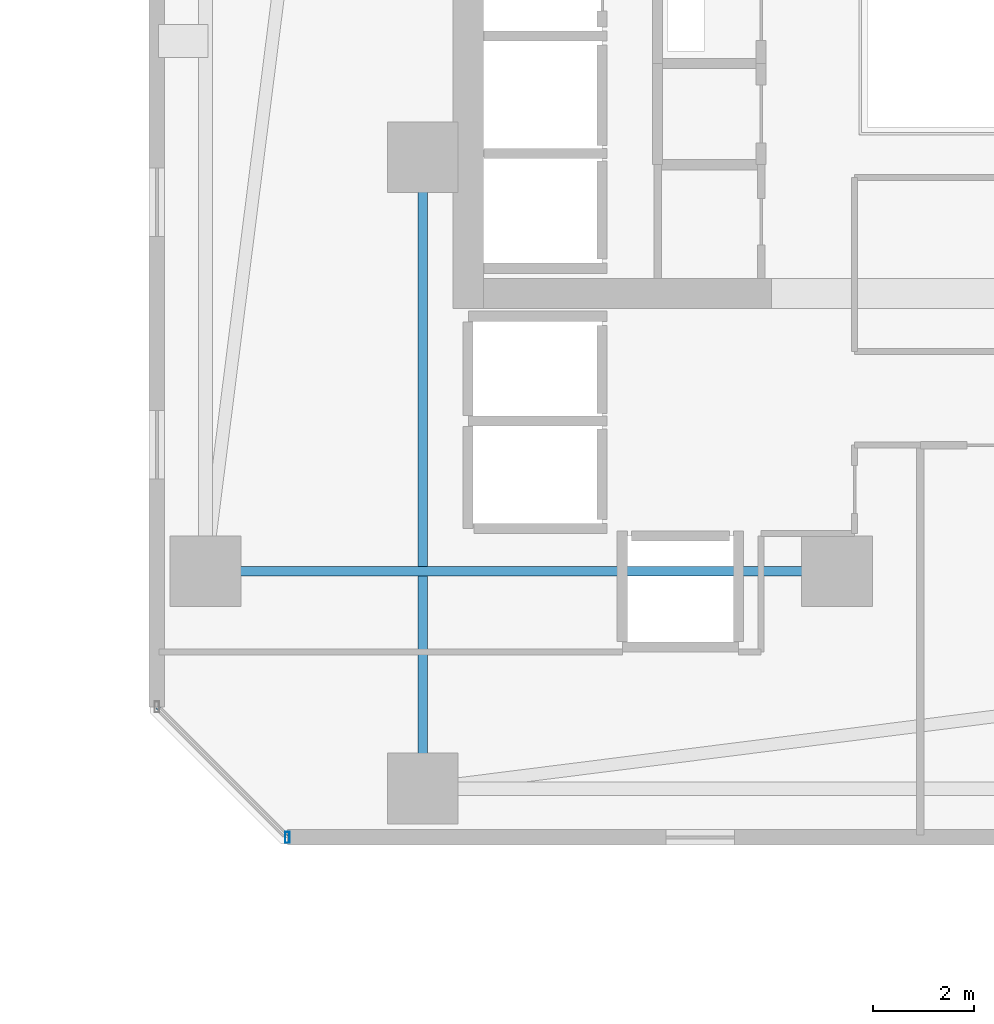
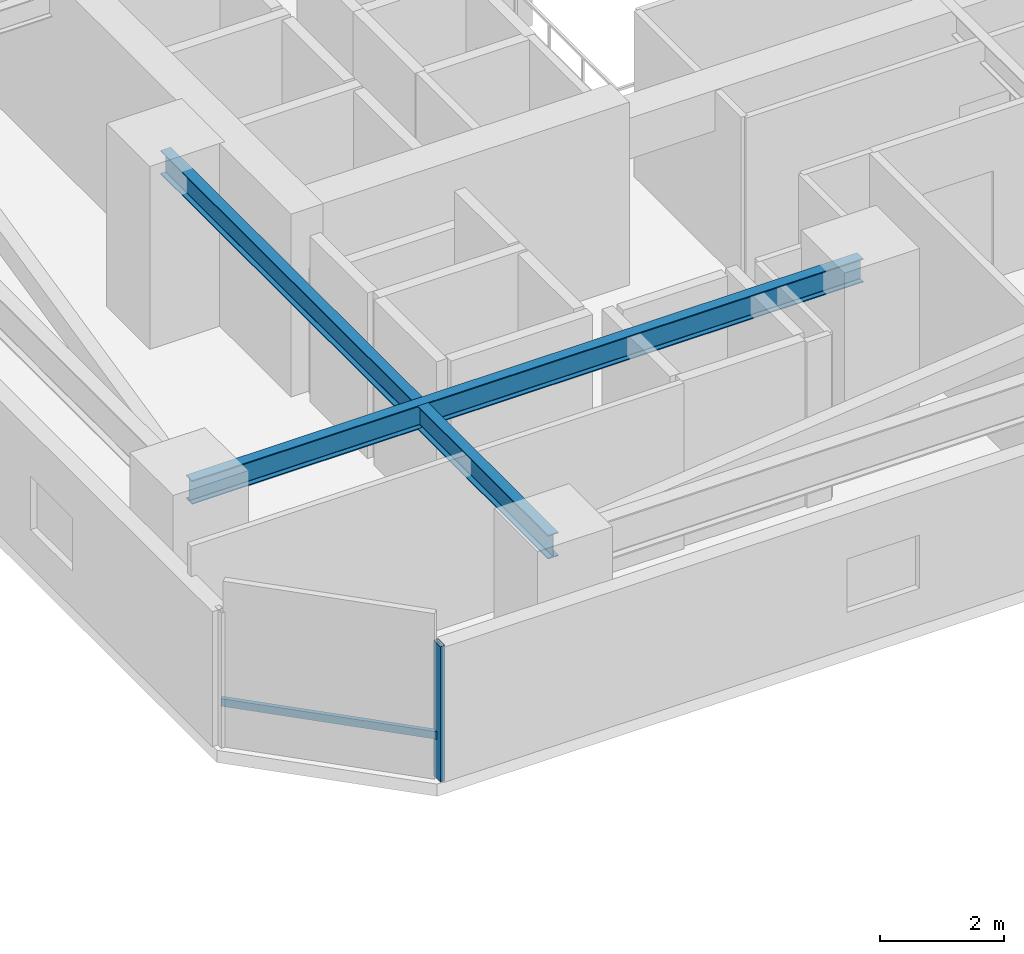
# One storey, part 13 of 36: 2 beams, 2 members, 1 element without a shape of its own.
"""IFC4 building model written with IfcOpenShell, lengths in metres."""

from ifc_helpers import new_model, si_unit, direction, frame, origin, origin_2d, place, context, subcontext, project, spatial, hollow_rectangle, i_section, extrude, material, material_profile, profile_set, type_object, element, aggregate, save


model = new_model("IFC4")

# Units and contexts
model_context = context("Model", 3, precision=1e-05, world=origin(), true_north=direction((0.0, 1.0)))
body_context = subcontext(model_context, "Body", "Model", "MODEL_VIEW")
ifc_project = project(units=[si_unit("LENGTHUNIT", "METRE"), si_unit("AREAUNIT", "SQUARE_METRE"), si_unit("VOLUMEUNIT", "CUBIC_METRE"), si_unit("PLANEANGLEUNIT", "RADIAN"), si_unit("MASSUNIT", "GRAM", prefix="KILO")], contexts=[model_context])

# Site, building, storey
site_placement = place(None, origin())
site = spatial("IfcSite", under=ifc_project, at=site_placement, CompositionType="ELEMENT")
building_placement = place(site_placement, origin())
building = spatial("IfcBuilding", under=site, at=building_placement, Name="Thornwick Lancets Civic Towers", CompositionType="ELEMENT")
storey_placement = place(building_placement, frame((0.0, 0.0, 68.10009765625)))
storey = spatial("IfcBuildingStorey", under=building, at=storey_placement, Name="L17", CompositionType="ELEMENT", Elevation=68.10009765625)

# Beams
ifc_material_1 = material(Name="Steel S355JR", Category="steel")
ifc_material_profile_1 = material_profile(ifc_material_1, i_section(OverallWidth=0.19287109375, OverallDepth=0.46728515625, WebThickness=0.011474609375, FlangeThickness=0.01953125, FilletRadius=0.01025390625, at=origin_2d()), Name="UKB 457x191x98")
ifc_profile_set_1 = profile_set([ifc_material_profile_1], Name="Steel S355JR")
beam_type = type_object("IfcBeamType", Name="BM_JOIST_457_98", PredefinedType="JOIST", material=ifc_profile_set_1)
for number, where, z_axis, x_axis, name in (
    (1, (83.699951171875, 14.0, 3.04638671875), (-1.0, 0.0, 0.0), (0.0, -1.0, 0.0), "BM-RADIN-L17-B07"),
    (2, (75.5, 22.199951171875, 3.04638671875), (0.0, -1.0, 0.0), (1.0, 0.0, 0.0), "BM-RADIN-L17-B12"),
):
    element("IfcBeam", number, at=place(storey_placement, frame(where, z_axis=z_axis, x_axis=x_axis)), inside=storey, type_object=beam_type, Name=name, PredefinedType="JOIST", context=body_context, shape_type="SweptSolid", body=[
        extrude(i_section(OverallWidth=0.19287109375, OverallDepth=0.46728515625, WebThickness=0.011474609375, FlangeThickness=0.01953125, FilletRadius=0.01025390625, at=origin_2d()), origin(), (0.0, 0.0, 1.0), 12.5),
    ])

# Curtain wall, members
ifc_material_2 = material(Name="Low-zone chamfered-corner unitised glass curtain wall", Category="glass")
curtain_wall_type = type_object("IfcCurtainWallType", Name="CW_SYS_03", PredefinedType="NOTDEFINED", material=ifc_material_2)
curtain_wall_placement = place(storey_placement, origin())
curtain_wall = element("IfcCurtainWall", 3, at=curtain_wall_placement, inside=storey, type_object=curtain_wall_type, Name="L17 Curtain Wall CW-L17-B-E7", PredefinedType="NOTDEFINED")
ifc_material_3 = material(Name="Thermally broken bronze aluminium S355", Category="steel")
ifc_material_profile_2 = material_profile(ifc_material_3, hollow_rectangle(XDim=0.090087890625, YDim=0.219970703125, WallThickness=0.00634765625, at=origin_2d()), Name="RHS 220x90x6.3")
ifc_profile_set_2 = profile_set([ifc_material_profile_2], Name="Thermally broken bronze aluminium S355")
member_type_1 = type_object("IfcMemberType", Name="CW_MUL_220", PredefinedType="MULLION", material=ifc_profile_set_2)
member_1_placement = place(storey_placement, frame((72.81884765625, 8.735107421875, 0.0), z_axis=(0.0, 0.0, 1.0), x_axis=(1.0, 0.0, 0.0)))
member_1 = element("IfcMember", 4, at=member_1_placement, type_object=member_type_1, Name="CW-L17-B-E7 Mullion 1", PredefinedType="MULLION", context=body_context, shape_type="SweptSolid", body=[
    extrude(hollow_rectangle(XDim=0.090087890625, YDim=0.219970703125, WallThickness=0.00634765625, at=origin_2d()), origin(), (0.0, 0.0, 1.0), 2.659912109375),
])
ifc_material_profile_3 = material_profile(ifc_material_3, hollow_rectangle(XDim=0.074951171875, YDim=0.14990234375, WallThickness=0.0048828125, at=origin_2d()), Name="RHS 150x75x5")
ifc_profile_set_3 = profile_set([ifc_material_profile_3], Name="Thermally broken bronze aluminium S355")
member_type_2 = type_object("IfcMemberType", Name="CW_TRN_150", PredefinedType="USERDEFINED", material=ifc_profile_set_3)
member_2_placement = place(storey_placement, frame((70.249267578125, 11.3046875, 0.849853515625), z_axis=(0.707106781187, -0.707106781187, 0.0), x_axis=(0.707106781187, 0.707106781187, 0.0)))
member_2 = element("IfcMember", 5, at=member_2_placement, type_object=member_type_2, Name="CW-L17-B-E7 Transom 0", ObjectType="TRANSOM", PredefinedType="USERDEFINED", context=body_context, shape_type="SweptSolid", body=[
    extrude(hollow_rectangle(XDim=0.074951171875, YDim=0.14990234375, WallThickness=0.0048828125, at=origin_2d()), origin(), (0.0, 0.0, 1.0), 3.614013671875),
])
aggregate(curtain_wall, [member_1, member_2])

save(model, "model.ifc")
